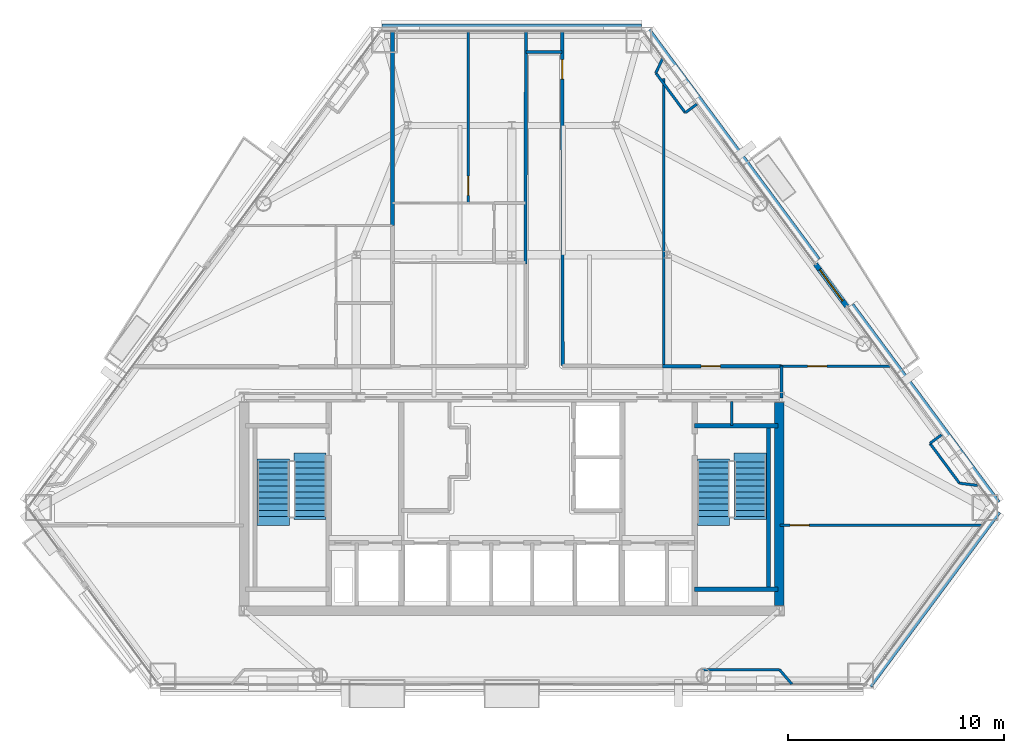
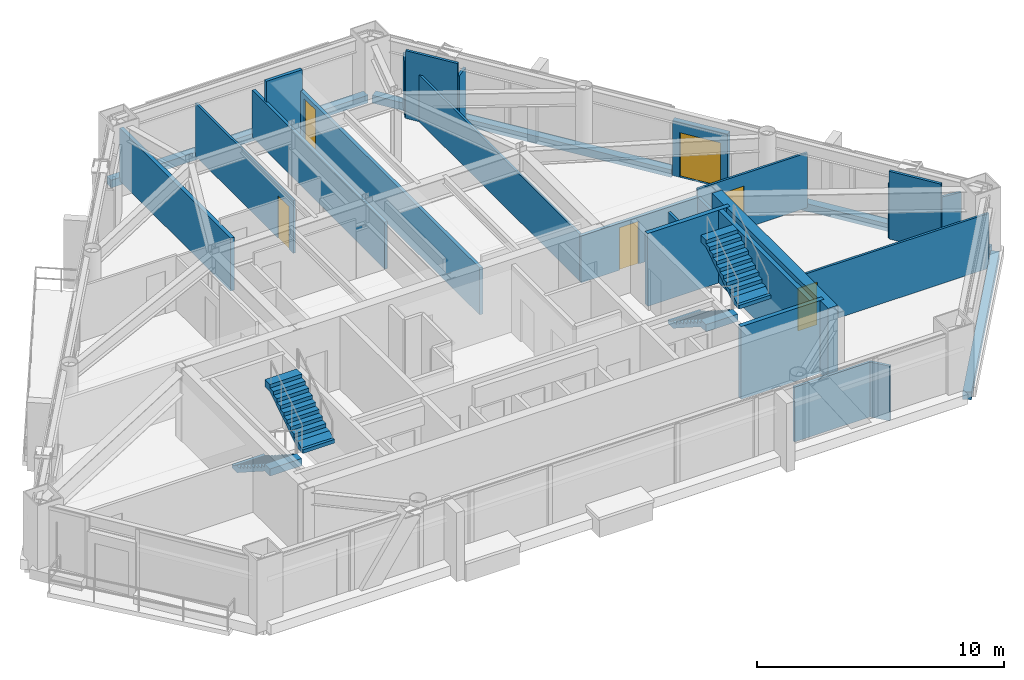
# One storey, part 10 of 13: 28 walls, 6 doors, 4 stair flights, 6 openings, 2 elements without a shape of their own.
"""IFC4 building model written with IfcOpenShell, lengths in metres."""

from ifc_helpers import new_model, si_unit, direction, frame, frame_2d, origin, place, context, subcontext, project, spatial, polyline, rectangle, outline, extrude, material, layer, layer_set, type_object, element, fill, aggregate, save


model = new_model("IFC4")

# Units and contexts
model_context = context("Model", 3, precision=1e-05, world=origin(), true_north=direction((0.0, 1.0)))
body_context = subcontext(model_context, "Body", "Model", "MODEL_VIEW")
ifc_project = project(units=[si_unit("LENGTHUNIT", "METRE"), si_unit("AREAUNIT", "SQUARE_METRE"), si_unit("VOLUMEUNIT", "CUBIC_METRE"), si_unit("PLANEANGLEUNIT", "RADIAN"), si_unit("MASSUNIT", "GRAM", prefix="KILO")], contexts=[model_context])

# Site, building, storey
site_placement = place(None, origin())
site = spatial("IfcSite", under=ifc_project, at=site_placement, CompositionType="ELEMENT")
building_placement = place(site_placement, origin())
building = spatial("IfcBuilding", under=site, at=building_placement, Name="Talgorran Terracotta Tower", CompositionType="ELEMENT")
storey_placement = place(building_placement, frame((0.0, 0.0, 99.60009765625)))
storey = spatial("IfcBuildingStorey", under=building, at=storey_placement, Name="L25", CompositionType="ELEMENT", Elevation=99.60009765625)

# Wall, opening, door
ifc_material_1 = material(Name="Concrete C40/50", Category="concrete")
ifc_layer_1 = layer(ifc_material_1, 0.239990234375, Name="WT_BALCONY_SPAND")
ifc_layer_set_1 = layer_set([ifc_layer_1], Name="Concrete C40/50")
wall_type_1 = type_object("IfcWallType", Name="WT_BALCONY_SPAND", PredefinedType="STANDARD", material=ifc_layer_set_1)
wall_1_placement = place(storey_placement, frame((15.52978515625, 0.010009765625, -0.01513671875), z_axis=(0.0, 0.0, 1.0), x_axis=(-0.594897308784, 0.803801711868, 0.0)))
wall_1 = element("IfcWall", 1, at=wall_1_placement, inside=storey, type_object=wall_type_1, Name="WL-L25-BALP-BAL-NE", PredefinedType="STANDARD", context=body_context, shape_type="SweptSolid", body=[
    extrude(rectangle(XDim=2.440185546875, YDim=0.239990234375, at=frame_2d((1.22021484375, 0.0))), origin(), (0.0, 0.0, 1.0), 2.728515625),
])
opening_1_placement = place(wall_1_placement, frame((0.320068359375, 0.0, 0.014892578125)))
opening_1 = element("IfcOpeningElement", 2, at=opening_1_placement, cuts=wall_1, Name="Opening D-BAL-L25-1", PredefinedType="OPENING", context=body_context, shape_type="SweptSolid", body=[
    extrude(rectangle(XDim=1.806048828125, YDim=2.203951171875, at=frame_2d((0.89990234375, 1.10205078125))), frame((0.0, 0.1298828125, 0.0), z_axis=(0.0, -1.0, 0.0), x_axis=(1.0, 0.0, 0.0)), (0.0, 0.0, 1.0), 0.260009765625),
])
ifc_material_2 = material(Name="Thermally Broken Aluminium", Category="aluminium")
door_type_1 = type_object("IfcDoorType", Name="DT_BALC_1800", OperationType="SLIDING_TO_LEFT", PredefinedType="DOOR", material=ifc_material_2)
door_1_placement = place(opening_1_placement, origin())
door_1 = element("IfcDoor", 3, at=door_1_placement, inside=storey, type_object=door_type_1, Name="DR-L25-BAL-BAL-NE", OperationType="SLIDING_TO_LEFT", OverallHeight=2.199951171875, OverallWidth=1.800048828125, PredefinedType="DOOR", context=body_context, shape_type="SweptSolid", body=[
    extrude(rectangle(XDim=1.800048828125, YDim=2.199951171875, at=frame_2d((0.89990234375, 1.10009765625))), frame((0.0, 0.02490234375, 0.0), z_axis=(0.0, -1.0, 0.0), x_axis=(1.0, 0.0, 0.0)), (0.0, 0.0, 1.0), 0.050048828125),
])
fill(opening_1, door_1)

# Walls
ifc_material_3 = material(Name="Concrete C50/60", Category="concrete")
ifc_layer_2 = layer(ifc_material_3, 0.199951171875, Name="WT_CORE_200")
ifc_layer_set_2 = layer_set([ifc_layer_2], Name="Concrete C50/60")
wall_type_2 = type_object("IfcWallType", Name="WT_CORE_200", PredefinedType="SOLIDWALL", material=ifc_layer_set_2)
for number, where, z_axis, x_axis, name in (
    (4, (8.47998046875, -5.52001953125, 0.0), (0.0, 0.0, 1.0), (1.0, 0.0, 0.0), "WL-L25-CW-ST2-N"),
    (5, (8.47998046875, -13.10009765625, 0.0), (0.0, 0.0, 1.0), (1.0, 0.0, 0.0), "WL-L25-CW-ST2-S"),
):
    element("IfcWall", number, at=place(storey_placement, frame(where, z_axis=z_axis, x_axis=x_axis)), inside=storey, type_object=wall_type_2, Name=name, PredefinedType="SOLIDWALL", context=body_context, shape_type="SweptSolid", body=[
        extrude(rectangle(XDim=3.8701171875, YDim=0.199951171875, at=frame_2d((1.93505859375, 0.0))), origin(), (0.0, 0.0, 1.0), 3.599853515625),
    ])
wall_2_placement = place(storey_placement, frame((11.89990234375, -13.10009765625, 0.0), z_axis=(0.0, 0.0, 1.0), x_axis=(0.0, 1.0, 0.0)))
element("IfcWall", 6, at=wall_2_placement, inside=storey, type_object=wall_type_2, Name="WL-L25-CW-ST2-E", PredefinedType="SOLIDWALL", context=body_context, shape_type="SweptSolid", body=[
    extrude(rectangle(XDim=7.580078125, YDim=0.199951171875, at=frame_2d((3.7900390625, 0.0))), origin(), (0.0, 0.0, 1.0), 3.599853515625),
])
ifc_material_4 = material(Name="Concrete C65/80", Category="concrete")
ifc_layer_3 = layer(ifc_material_4, 0.449951171875, Name="WT_CORE_EXT")
ifc_layer_set_3 = layer_set([ifc_layer_3], Name="Concrete C65/80")
wall_type_3 = type_object("IfcWallType", Name="WT_CORE_EXT", PredefinedType="SHEAR", material=ifc_layer_set_3)
wall_3_placement = place(storey_placement, frame((12.39990234375, -13.85009765625, 0.0), z_axis=(0.0, 0.0, 1.0), x_axis=(0.0, 1.0, 0.0)))
element("IfcWall", 7, at=wall_3_placement, inside=storey, type_object=wall_type_3, Name="WL-L25-CW-OUT-E", PredefinedType="SHEAR", context=body_context, shape_type="SweptSolid", body=[
    extrude(rectangle(XDim=9.400146484375, YDim=0.449951171875, at=frame_2d((4.7001953125, 0.0))), origin(), (0.0, 0.0, 1.0), 3.599853515625),
])

# Wall, opening, door
ifc_material_5 = material(Name="Fire-Rated Steel Stud Plasterboard", Category="steel")
ifc_layer_4 = layer(ifc_material_5, 0.14990234375, Name="WT_FIRE_150")
ifc_layer_set_4 = layer_set([ifc_layer_4], Name="Fire-Rated Steel Stud Plasterboard")
wall_type_4 = type_object("IfcWallType", Name="WT_FIRE_150", PredefinedType="PARTITIONING", material=ifc_layer_set_4)
wall_4_placement = place(storey_placement, frame((2.338623046875, 12.76220703125, 0.0), z_axis=(0.0, 0.0, 1.0), x_axis=(0.001385890916, -0.999999039653, 0.0)))
wall_4 = element("IfcWall", 8, at=wall_4_placement, inside=storey, type_object=wall_type_4, Name="WL-L25-W-L25-R09", PredefinedType="PARTITIONING", context=body_context, shape_type="SweptSolid", body=[
    extrude(rectangle(XDim=15.502197265625, YDim=0.14990234375, at=frame_2d((7.7509765625, 0.0))), origin(), (0.0, 0.0, 1.0), 2.324951171875),
])
opening_2_placement = place(wall_4_placement, frame((1.321533203125, 0.0, 0.0)))
opening_2 = element("IfcOpeningElement", 9, at=opening_2_placement, cuts=wall_4, Name="Opening DR-L25-R10", PredefinedType="OPENING", context=body_context, shape_type="SweptSolid", body=[
    extrude(rectangle(XDim=0.90590234375, YDim=2.10409765625, at=frame_2d((0.449951171875, 1.052001953125))), frame((0.0, 0.0849609375, 0.0), z_axis=(0.0, -1.0, 0.0), x_axis=(1.0, 0.0, 0.0)), (0.0, 0.0, 1.0), 0.169921875),
])
ifc_material_6 = material(Name="Fire-Rated Timber Core", Category="wood")
door_type_2 = type_object("IfcDoorType", Name="DT_FIRE_900", OperationType="NOTDEFINED", PredefinedType="DOOR", material=ifc_material_6)
door_2_placement = place(opening_2_placement, origin())
door_2 = element("IfcDoor", 10, at=door_2_placement, inside=storey, type_object=door_type_2, Name="DR-L25-R10", OperationType="SINGLE_SWING_RIGHT", OverallHeight=2.10009765625, OverallWidth=0.89990234375, PredefinedType="DOOR", context=body_context, shape_type="SweptSolid", body=[
    extrude(rectangle(XDim=0.89990234375, YDim=2.10009765625, at=frame_2d((0.449951171875, 1.050048828125))), frame((0.0, 0.02490234375, 0.0), z_axis=(0.0, -1.0, 0.0), x_axis=(1.0, 0.0, 0.0)), (0.0, 0.0, 1.0), 0.050048828125),
])
fill(opening_2, door_2)

# Wall
wall_5_placement = place(storey_placement, frame((0.632080078125, 1.97998046875, 0.0), z_axis=(0.0, 0.0, 1.0), x_axis=(0.002830348232, 0.999995994556, 0.0)))
element("IfcWall", 11, at=wall_5_placement, inside=storey, type_object=wall_type_4, Name="WL-L25-W-L25-R06", PredefinedType="PARTITIONING", context=body_context, shape_type="SweptSolid", body=[
    extrude(rectangle(XDim=10.7822265625, YDim=0.14990234375, at=frame_2d((5.39111328125, 0.0))), origin(), (0.0, 0.0, 1.0), 2.324951171875),
])

# Wall, opening, door
wall_6_placement = place(storey_placement, frame((6.97998046875, -2.760009765625, 0.0), z_axis=(0.0, 0.0, 1.0), x_axis=(1.0, 0.0, 0.0)))
wall_6 = element("IfcWall", 12, at=wall_6_placement, inside=storey, type_object=wall_type_4, Name="WL-L25-W-L25-R11", PredefinedType="PARTITIONING", context=body_context, shape_type="SweptSolid", body=[
    extrude(rectangle(XDim=5.52001953125, YDim=0.14990234375, at=frame_2d((2.760009765625, 0.0))), origin(), (0.0, 0.0, 1.0), 2.324951171875),
])
opening_3_placement = place(wall_6_placement, frame((1.79248046875, 0.0, 0.0)))
opening_3 = element("IfcOpeningElement", 13, at=opening_3_placement, cuts=wall_6, Name="Opening DR-L25-R11", PredefinedType="OPENING", context=body_context, shape_type="SweptSolid", body=[
    extrude(rectangle(XDim=0.90590234375, YDim=2.10409765625, at=frame_2d((0.449951171875, 1.052001953125))), frame((0.0, 0.0849609375, 0.0), z_axis=(0.0, -1.0, 0.0), x_axis=(1.0, 0.0, 0.0)), (0.0, 0.0, 1.0), 0.169921875),
])
door_3_placement = place(opening_3_placement, origin())
door_3 = element("IfcDoor", 14, at=door_3_placement, inside=storey, type_object=door_type_2, Name="DR-L25-R11", OperationType="SINGLE_SWING_LEFT", OverallHeight=2.10009765625, OverallWidth=0.89990234375, PredefinedType="DOOR", context=body_context, shape_type="SweptSolid", body=[
    extrude(rectangle(XDim=0.89990234375, YDim=2.10009765625, at=frame_2d((0.449951171875, 1.050048828125))), frame((0.0, 0.02490234375, 0.0), z_axis=(0.0, -1.0, 0.0), x_axis=(1.0, 0.0, 0.0)), (0.0, 0.0, 1.0), 0.050048828125),
])
fill(opening_3, door_3)

# Walls
wall_7_placement = place(storey_placement, frame((12.5, -4.239990234375, 0.0), z_axis=(0.0, 0.0, 1.0), x_axis=(0.0, 1.0, 0.0)))
element("IfcWall", 15, at=wall_7_placement, inside=storey, type_object=wall_type_4, Name="WL-L25-W-L25-R13", PredefinedType="PARTITIONING", context=body_context, shape_type="SweptSolid", body=[
    extrude(rectangle(XDim=1.47998046875, YDim=0.14990234375, at=frame_2d((0.739990234375, 0.0))), origin(), (0.0, 0.0, 1.0), 2.324951171875),
])
wall_8_placement = place(storey_placement, frame((0.659912109375, 11.800048828125, 0.0), z_axis=(0.0, 0.0, 1.0), x_axis=(1.0, 0.0, 0.0)))
element("IfcWall", 16, at=wall_8_placement, inside=storey, type_object=wall_type_4, Name="WL-L25-W-L25-R07", PredefinedType="PARTITIONING", context=body_context, shape_type="SweptSolid", body=[
    extrude(rectangle(XDim=1.68017578125, YDim=0.14990234375, at=frame_2d((0.840087890625, 0.0))), origin(), (0.0, 0.0, 1.0), 3.349853515625),
])
ifc_layer_5 = layer(ifc_material_1, 0.219970703125, Name="WT_PARAPET_RC")
ifc_layer_set_5 = layer_set([ifc_layer_5], Name="Concrete C40/50")
wall_type_5 = type_object("IfcWallType", Name="WT_PARAPET_RC", PredefinedType="PARAPET", material=ifc_layer_set_5)
wall_9_placement = place(storey_placement, frame((16.544921875, -17.538818359375, -0.2001953125), z_axis=(0.0, 0.0, 1.0), x_axis=(0.594898670943, 0.803800703726, 0.0)))
element("IfcWall", 17, at=wall_9_placement, inside=storey, type_object=wall_type_5, Name="L25 Striped Portal Precast Cornice F2", PredefinedType="PARAPET", context=body_context, shape_type="SweptSolid", body=[
    extrude(rectangle(XDim=10.031982421875, YDim=0.360107421875, at=frame_2d((5.01611328125, 0.0))), origin(), (0.0, 0.0, 1.0), 0.380126953125),
])
wall_10_placement = place(storey_placement, frame((22.489013671875, -9.123779296875, -0.2001953125), z_axis=(0.0, 0.0, 1.0), x_axis=(-0.59490615029, 0.803795168154, 0.0)))
element("IfcWall", 18, at=wall_10_placement, inside=storey, type_object=wall_type_5, Name="L25 Striped Portal Precast Cornice F40", PredefinedType="PARAPET", context=body_context, shape_type="SweptSolid", body=[
    extrude(rectangle(XDim=11.391845703125, YDim=0.360107421875, at=frame_2d((5.69580078125, 0.0))), origin(), (0.0, 0.0, 1.0), 0.380126953125),
])
wall_11_placement = place(storey_placement, frame((14.1533203125, 2.138916015625, -0.2001953125), z_axis=(0.0, 0.0, 1.0), x_axis=(-0.594915583051, 0.803788186678, 0.0)))
element("IfcWall", 19, at=wall_11_placement, inside=storey, type_object=wall_type_5, Name="L25 Striped Portal Precast Cornice F41", PredefinedType="PARAPET", context=body_context, shape_type="SweptSolid", body=[
    extrude(rectangle(XDim=13.215087890625, YDim=0.360107421875, at=frame_2d((6.607421875, 0.0))), origin(), (0.0, 0.0, 1.0), 0.380126953125),
])
wall_12_placement = place(storey_placement, frame((6.01171875, 12.922119140625, -0.2001953125), z_axis=(0.0, 0.0, 1.0), x_axis=(-1.0, 0.0, 0.0)))
element("IfcWall", 20, at=wall_12_placement, inside=storey, type_object=wall_type_5, Name="L25 Striped Portal Precast Cornice F4", PredefinedType="PARAPET", context=body_context, shape_type="SweptSolid", body=[
    extrude(rectangle(XDim=12.0234375, YDim=0.360107421875, at=frame_2d((6.01171875, 0.0))), origin(), (0.0, 0.0, 1.0), 0.380126953125),
])
ifc_material_7 = material(Name="Acoustic Stud and Plasterboard")
ifc_layer_6 = layer(ifc_material_7, 0.179931640625, Name="WT_PARTY_200")
ifc_layer_set_6 = layer_set([ifc_layer_6], Name="Acoustic Stud and Plasterboard")
wall_type_6 = type_object("IfcWallType", Name="WT_PARTY_200", PredefinedType="PARTITIONING", material=ifc_layer_set_6)
wall_13_placement = place(storey_placement, frame((-5.52001953125, 3.760009765625, 0.0), z_axis=(0.0, 0.0, 1.0), x_axis=(0.0, 1.0, 0.0)))
element("IfcWall", 21, at=wall_13_placement, inside=storey, type_object=wall_type_6, Name="WL-L25-W-L25-R23", PredefinedType="PARTITIONING", context=body_context, shape_type="SweptSolid", body=[
    extrude(rectangle(XDim=9.002197265625, YDim=0.179931640625, at=frame_2d((4.5009765625, 0.0))), origin(), (0.0, 0.0, 1.0), 2.616943359375),
])
ifc_material_8 = material(Name="Lightweight Steel Stud Partition", Category="steel")
ifc_layer_7 = layer(ifc_material_8, 0.10498046875, Name="WT_PART_110")
ifc_layer_set_7 = layer_set([ifc_layer_7], Name="Lightweight Steel Stud Partition")
wall_type_7 = type_object("IfcWallType", Name="WT_PART_110", PredefinedType="PARTITIONING", material=ifc_layer_set_7)
wall_14_placement = place(storey_placement, frame((7.0400390625, -2.760009765625, 0.0), z_axis=(0.0, 0.0, 1.0), x_axis=(0.0, 1.0, 0.0)))
element("IfcWall", 22, at=wall_14_placement, inside=storey, type_object=wall_type_7, Name="WL-L25-W-L25-R31", PredefinedType="PARTITIONING", context=body_context, shape_type="SweptSolid", body=[
    extrude(rectangle(XDim=13.340087890625, YDim=0.10498046875, at=frame_2d((6.669921875, 0.0))), origin(), (0.0, 0.0, 1.0), 2.324951171875),
])

# Wall, opening, door
wall_15_placement = place(storey_placement, frame((12.43994140625, -10.139892578125, 0.0), z_axis=(0.0, 0.0, 1.0), x_axis=(1.0, 0.0, 0.0)))
wall_15 = element("IfcWall", 23, at=wall_15_placement, inside=storey, type_object=wall_type_7, Name="WL-L25-W-L25-R33", PredefinedType="PARTITIONING", context=body_context, shape_type="SweptSolid", body=[
    extrude(rectangle(XDim=9.3818359375, YDim=0.10498046875, at=frame_2d((4.69091796875, 0.0))), origin(), (0.0, 0.0, 1.0), 2.71337890625),
])
opening_4_placement = place(wall_15_placement, frame((0.459716796875, 0.0, 0.0)))
opening_4 = element("IfcOpeningElement", 24, at=opening_4_placement, cuts=wall_15, Name="Opening DR-L25-R13", PredefinedType="OPENING", context=body_context, shape_type="SweptSolid", body=[
    extrude(rectangle(XDim=0.8858828125, YDim=2.10409765625, at=frame_2d((0.43994140625, 1.052001953125))), frame((0.0, 0.0625, 0.0), z_axis=(0.0, -1.0, 0.0), x_axis=(1.0, 0.0, 0.0)), (0.0, 0.0, 1.0), 0.125),
])
ifc_material_9 = material(Name="Solid-Core Painted Timber", Category="wood")
door_type_3 = type_object("IfcDoorType", Name="DT_INT_880", OperationType="NOTDEFINED", PredefinedType="DOOR", material=ifc_material_9)
door_4_placement = place(opening_4_placement, origin())
door_4 = element("IfcDoor", 25, at=door_4_placement, inside=storey, type_object=door_type_3, Name="DR-L25-R13", OperationType="SINGLE_SWING_LEFT", OverallHeight=2.10009765625, OverallWidth=0.8798828125, PredefinedType="DOOR", context=body_context, shape_type="SweptSolid", body=[
    extrude(rectangle(XDim=0.8798828125, YDim=2.10009765625, at=frame_2d((0.43994140625, 1.050048828125))), frame((0.0, 0.02490234375, 0.0), z_axis=(0.0, -1.0, 0.0), x_axis=(1.0, 0.0, 0.0)), (0.0, 0.0, 1.0), 0.050048828125),
])
fill(opening_4, door_4)

wall_16_placement = place(storey_placement, frame((-2.02001953125, 4.800048828125, 0.0), z_axis=(0.0, 0.0, 1.0), x_axis=(0.0, 1.0, 0.0)))
wall_16 = element("IfcWall", 26, at=wall_16_placement, inside=storey, type_object=wall_type_7, Name="WL-L25-W-L25-R30", PredefinedType="PARTITIONING", context=body_context, shape_type="SweptSolid", body=[
    extrude(rectangle(XDim=7.962158203125, YDim=0.10498046875, at=frame_2d((3.98095703125, 0.0))), origin(), (0.0, 0.0, 1.0), 2.616943359375),
])
opening_5_placement = place(wall_16_placement, frame((0.359375, 0.0, 0.0)))
opening_5 = element("IfcOpeningElement", 27, at=opening_5_placement, cuts=wall_16, Name="Opening DR-L25-R09", PredefinedType="OPENING", context=body_context, shape_type="SweptSolid", body=[
    extrude(rectangle(XDim=0.8858828125, YDim=2.10409765625, at=frame_2d((0.43994140625, 1.052001953125))), frame((0.0, 0.0625, 0.0), z_axis=(0.0, -1.0, 0.0), x_axis=(1.0, 0.0, 0.0)), (0.0, 0.0, 1.0), 0.125),
])
door_5_placement = place(opening_5_placement, origin())
door_5 = element("IfcDoor", 28, at=door_5_placement, inside=storey, type_object=door_type_3, Name="DR-L25-R09", OperationType="SINGLE_SWING_LEFT", OverallHeight=2.10009765625, OverallWidth=0.8798828125, PredefinedType="DOOR", context=body_context, shape_type="SweptSolid", body=[
    extrude(rectangle(XDim=0.8798828125, YDim=2.10009765625, at=frame_2d((0.43994140625, 1.050048828125))), frame((0.0, 0.02490234375, 0.0), z_axis=(0.0, -1.0, 0.0), x_axis=(1.0, 0.0, 0.0)), (0.0, 0.0, 1.0), 0.050048828125),
])
fill(opening_5, door_5)

wall_17_placement = place(storey_placement, frame((12.43994140625, -2.760009765625, 0.0), z_axis=(0.0, 0.0, 1.0), x_axis=(1.0, 0.0, 0.0)))
wall_17 = element("IfcWall", 29, at=wall_17_placement, inside=storey, type_object=wall_type_7, Name="WL-L25-W-L25-R32", PredefinedType="PARTITIONING", context=body_context, shape_type="SweptSolid", body=[
    extrude(rectangle(XDim=5.139892578125, YDim=0.10498046875, at=frame_2d((2.56982421875, 0.0))), origin(), (0.0, 0.0, 1.0), 2.71337890625),
])
opening_6_placement = place(wall_17_placement, frame((1.280029296875, 0.0, 0.0)))
opening_6 = element("IfcOpeningElement", 30, at=opening_6_placement, cuts=wall_17, Name="Opening DR-L25-R14", PredefinedType="OPENING", context=body_context, shape_type="SweptSolid", body=[
    extrude(rectangle(XDim=0.8858828125, YDim=2.10409765625, at=frame_2d((0.43994140625, 1.052001953125))), frame((0.0, 0.0625, 0.0), z_axis=(0.0, -1.0, 0.0), x_axis=(1.0, 0.0, 0.0)), (0.0, 0.0, 1.0), 0.125),
])
door_6_placement = place(opening_6_placement, origin())
door_6 = element("IfcDoor", 31, at=door_6_placement, inside=storey, type_object=door_type_3, Name="DR-L25-R14", OperationType="SINGLE_SWING_RIGHT", OverallHeight=2.10009765625, OverallWidth=0.8798828125, PredefinedType="DOOR", context=body_context, shape_type="SweptSolid", body=[
    extrude(rectangle(XDim=0.8798828125, YDim=2.10009765625, at=frame_2d((0.43994140625, 1.050048828125))), frame((0.0, 0.02490234375, 0.0), z_axis=(0.0, -1.0, 0.0), x_axis=(1.0, 0.0, 0.0)), (0.0, 0.0, 1.0), 0.050048828125),
])
fill(opening_6, door_6)

# Walls
ifc_material_10 = material(Name="Insulated Steel Stud Plasterboard", Category="steel")
ifc_layer_8 = layer(ifc_material_10, 0.1201171875, Name="WT_PART_120")
ifc_layer_set_8 = layer_set([ifc_layer_8], Name="Insulated Steel Stud Plasterboard")
wall_type_8 = type_object("IfcWallType", Name="WT_PART_120", PredefinedType="PARTITIONING", material=ifc_layer_set_8)
wall_18_placement = place(storey_placement, frame((10.199951171875, -5.52001953125, 0.0), z_axis=(0.0, 0.0, 1.0), x_axis=(0.0, 1.0, 0.0)))
element("IfcWall", 32, at=wall_18_placement, inside=storey, type_object=wall_type_8, Name="WL-L25-CW-CSE-DIV", PredefinedType="PARTITIONING", context=body_context, shape_type="SweptSolid", body=[
    extrude(rectangle(XDim=1.1201171875, YDim=0.1201171875, at=frame_2d((0.56005859375, 0.0))), origin(), (0.0, 0.0, 1.0), 3.349853515625),
])
wall_19_placement = place(storey_placement, frame((8.842041015625, -16.827880859375, 0.0), z_axis=(0.0, 0.0, 1.0), x_axis=(1.0, 0.0, 0.0)))
element("IfcWall", 33, at=wall_19_placement, inside=storey, type_object=wall_type_8, Name="WL-L25-BW-L25-06", PredefinedType="PARTITIONING", context=body_context, shape_type="SweptSolid", body=[
    extrude(rectangle(XDim=3.56884765625, YDim=0.1201171875, at=frame_2d((1.784423828125, 0.0))), origin(), (0.0, 0.0, 1.0), 2.71337890625),
])
wall_20_placement = place(storey_placement, frame((8.0419921875, 8.984130859375, 0.0), z_axis=(0.0, 0.0, 1.0), x_axis=(-0.594914508596, 0.803788981924, 0.0)))
element("IfcWall", 34, at=wall_20_placement, inside=storey, type_object=wall_type_8, Name="WL-L25-BW-L25-18", PredefinedType="PARTITIONING", context=body_context, shape_type="SweptSolid", body=[
    extrude(rectangle(XDim=2.29443359375, YDim=0.1201171875, at=frame_2d((1.147216796875, 0.0))), origin(), (0.0, 0.0, 1.0), 3.349853515625),
])
wall_21_placement = place(storey_placement, frame((20.747802734375, -8.183349609375, 0.0), z_axis=(0.0, 0.0, 1.0), x_axis=(-0.594863630048, 0.803826636561, 0.0)))
element("IfcWall", 35, at=wall_21_placement, inside=storey, type_object=wall_type_8, Name="WL-L25-BW-L25-13", PredefinedType="PARTITIONING", context=body_context, shape_type="SweptSolid", body=[
    extrude(rectangle(XDim=2.294677734375, YDim=0.1201171875, at=frame_2d((1.1474609375, 0.0))), origin(), (0.0, 0.0, 1.0), 3.349853515625),
])
wall_22_placement = place(storey_placement, frame((12.410888671875, -16.827880859375, 0.0), z_axis=(0.0, 0.0, 1.0), x_axis=(0.649031566587, -0.760761477451, 0.0)))
element("IfcWall", 36, at=wall_22_placement, inside=storey, type_object=wall_type_8, Name="WL-L25-BW-L25-04", PredefinedType="PARTITIONING", context=body_context, shape_type="SweptSolid", body=[
    extrude(rectangle(XDim=0.880615234375, YDim=0.1201171875, at=frame_2d((0.4404296875, 0.0))), origin(), (0.0, 0.0, 1.0), 2.71337890625),
])
wall_23_placement = place(storey_placement, frame((21.590087890625, -8.28857421875, 0.0), z_axis=(0.0, 0.0, 1.0), x_axis=(-0.992286724014, 0.123963935667, 0.0)))
element("IfcWall", 37, at=wall_23_placement, inside=storey, type_object=wall_type_8, Name="WL-L25-BW-L25-12", PredefinedType="PARTITIONING", context=body_context, shape_type="SweptSolid", body=[
    extrude(rectangle(XDim=0.848876953125, YDim=0.1201171875, at=frame_2d((0.42431640625, 0.0))), origin(), (0.0, 0.0, 1.0), 2.71337890625),
])
wall_24_placement = place(storey_placement, frame((6.677001953125, 10.828369140625, 0.0), z_axis=(0.0, 0.0, 1.0), x_axis=(0.429247003256, 0.903187140185, 0.0)))
element("IfcWall", 38, at=wall_24_placement, inside=storey, type_object=wall_type_8, Name="WL-L25-BW-L25-19", PredefinedType="PARTITIONING", context=body_context, shape_type="SweptSolid", body=[
    extrude(rectangle(XDim=0.75927734375, YDim=0.1201171875, at=frame_2d((0.379638671875, 0.0))), origin(), (0.0, 0.0, 1.0), 2.71337890625),
])
wall_25_placement = place(storey_placement, frame((19.3828125, -6.339111328125, 0.0), z_axis=(0.0, 0.0, 1.0), x_axis=(0.803744328022, 0.594974835748, 0.0)))
element("IfcWall", 39, at=wall_25_placement, inside=storey, type_object=wall_type_8, Name="WL-L25-BW-L25-11", PredefinedType="PARTITIONING", context=body_context, shape_type="SweptSolid", body=[
    extrude(rectangle(XDim=0.670166015625, YDim=0.1201171875, at=frame_2d((0.3349609375, 0.0))), origin(), (0.0, 0.0, 1.0), 2.71337890625),
])
wall_26_placement = place(storey_placement, frame((8.580322265625, 9.3828125, 0.0), z_axis=(0.0, 0.0, 1.0), x_axis=(-0.803615295139, -0.595149105198, 0.0)))
element("IfcWall", 40, at=wall_26_placement, inside=storey, type_object=wall_type_8, Name="WL-L25-BW-L25-17", PredefinedType="PARTITIONING", context=body_context, shape_type="SweptSolid", body=[
    extrude(rectangle(XDim=0.669921875, YDim=0.1201171875, at=frame_2d((0.3349609375, 0.0))), origin(), (0.0, 0.0, 1.0), 2.71337890625),
])

# Stair, stair flights
stair_type = type_object("IfcStairType", Name="ST_FIRE_SCISSOR", PredefinedType="HALF_TURN_STAIR", material=ifc_material_1)
stair_1_placement = place(storey_placement, origin())
stair_1 = element("IfcStair", 41, at=stair_1_placement, inside=storey, type_object=stair_type, Name="L25 West Protected Fire Stair ST-01", PredefinedType="HALF_TURN_STAIR")
ifc_layer_9 = layer(ifc_material_1, 0.179931640625, Name="STF_RC_1500")
ifc_layer_set_9 = layer_set([ifc_layer_9], Name="Concrete C40/50")
stair_flight_type = type_object("IfcStairFlightType", Name="STF_RC_1500", PredefinedType="STRAIGHT", material=ifc_layer_set_9)
stair_flight_1_placement = place(storey_placement, frame((-11.050048828125, -7.199951171875, 0.0), z_axis=(0.0, 0.0, 1.0), x_axis=(0.0, -1.0, 0.0)))
stair_flight_1 = element("IfcStairFlight", 42, at=stair_flight_1_placement, type_object=stair_flight_type, Name="ST-01 flight 1", NumberOfRisers=10, NumberOfTreads=9, PredefinedType="STRAIGHT", RiserHeight=0.18, TreadLength=0.28, context=body_context, shape_type="SweptSolid", body=[
    extrude(outline(polyline([(-0.139892578125, 0.0), (-0.139892578125, 0.179931640625), (0.0, 0.179931640625), (0.280029296875, 0.360107421875), (0.56005859375, 0.360107421875), (0.56005859375, 0.5400390625), (0.840087890625, 0.5400390625), (0.840087890625, 0.719970703125), (1.1201171875, 0.719970703125), (1.1201171875, 0.89990234375), (1.39990234375, 0.89990234375), (1.39990234375, 1.080078125), (1.679931640625, 1.080078125), (1.679931640625, 1.260009765625), (1.9599609375, 1.260009765625), (1.9599609375, 1.43994140625), (2.239990234375, 1.43994140625), (2.239990234375, 1.6201171875), (2.52001953125, 1.6201171875), (2.52001953125, 1.800048828125), (2.93994140625, 1.800048828125), (2.93994140625, 1.44189453125), (2.52001953125, 1.44189453125), (0.277099609375, 0.0), (-0.139892578125, 0.0)])), frame((0.0, 0.75, 0.0), z_axis=(0.0, -1.0, 0.0), x_axis=(1.0, 0.0, 0.0)), (0.0, 0.0, 1.0), 1.5),
])
stair_flight_2_placement = place(storey_placement, frame((-9.35009765625, -9.719970703125, 1.7998046875), z_axis=(0.0, 0.0, 1.0), x_axis=(0.0, 1.0, 0.0)))
stair_flight_2 = element("IfcStairFlight", 43, at=stair_flight_2_placement, type_object=stair_flight_type, Name="ST-01 flight 2", NumberOfRisers=10, NumberOfTreads=9, PredefinedType="STRAIGHT", RiserHeight=0.18, TreadLength=0.28, context=body_context, shape_type="SweptSolid", body=[
    extrude(outline(polyline([(-0.139892578125, 0.0), (-0.139892578125, 0.179931640625), (0.0, 0.179931640625), (0.280029296875, 0.360107421875), (0.56005859375, 0.360107421875), (0.56005859375, 0.5400390625), (0.840087890625, 0.5400390625), (0.840087890625, 0.719970703125), (1.1201171875, 0.719970703125), (1.1201171875, 0.89990234375), (1.39990234375, 0.89990234375), (1.39990234375, 1.080078125), (1.679931640625, 1.080078125), (1.679931640625, 1.260009765625), (1.9599609375, 1.260009765625), (1.9599609375, 1.43994140625), (2.239990234375, 1.43994140625), (2.239990234375, 1.6201171875), (2.52001953125, 1.6201171875), (2.52001953125, 1.800048828125), (2.93994140625, 1.800048828125), (2.93994140625, 1.44189453125), (2.52001953125, 1.44189453125), (0.277099609375, 0.0), (-0.139892578125, 0.0)])), frame((0.0, 0.75, 0.0), z_axis=(0.0, -1.0, 0.0), x_axis=(1.0, 0.0, 0.0)), (0.0, 0.0, 1.0), 1.5),
])
aggregate(stair_1, [stair_flight_1, stair_flight_2])

stair_2_placement = place(storey_placement, origin())
stair_2 = element("IfcStair", 44, at=stair_2_placement, inside=storey, type_object=stair_type, Name="L25 East Protected Fire Stair ST-02", PredefinedType="HALF_TURN_STAIR")
stair_flight_3_placement = place(storey_placement, frame((9.35009765625, -7.199951171875, 0.0), z_axis=(0.0, 0.0, 1.0), x_axis=(0.0, -1.0, 0.0)))
stair_flight_3 = element("IfcStairFlight", 45, at=stair_flight_3_placement, type_object=stair_flight_type, Name="ST-02 flight 1", NumberOfRisers=10, NumberOfTreads=9, PredefinedType="STRAIGHT", RiserHeight=0.18, TreadLength=0.28, context=body_context, shape_type="SweptSolid", body=[
    extrude(outline(polyline([(-0.139892578125, 0.0), (-0.139892578125, 0.179931640625), (0.0, 0.179931640625), (0.280029296875, 0.360107421875), (0.56005859375, 0.360107421875), (0.56005859375, 0.5400390625), (0.840087890625, 0.5400390625), (0.840087890625, 0.719970703125), (1.1201171875, 0.719970703125), (1.1201171875, 0.89990234375), (1.39990234375, 0.89990234375), (1.39990234375, 1.080078125), (1.679931640625, 1.080078125), (1.679931640625, 1.260009765625), (1.9599609375, 1.260009765625), (1.9599609375, 1.43994140625), (2.239990234375, 1.43994140625), (2.239990234375, 1.6201171875), (2.52001953125, 1.6201171875), (2.52001953125, 1.800048828125), (2.93994140625, 1.800048828125), (2.93994140625, 1.44189453125), (2.52001953125, 1.44189453125), (0.277099609375, 0.0), (-0.139892578125, 0.0)])), frame((0.0, 0.75, 0.0), z_axis=(0.0, -1.0, 0.0), x_axis=(1.0, 0.0, 0.0)), (0.0, 0.0, 1.0), 1.5),
])
stair_flight_4_placement = place(storey_placement, frame((11.050048828125, -9.719970703125, 1.7998046875), z_axis=(0.0, 0.0, 1.0), x_axis=(0.0, 1.0, 0.0)))
stair_flight_4 = element("IfcStairFlight", 46, at=stair_flight_4_placement, type_object=stair_flight_type, Name="ST-02 flight 2", NumberOfRisers=10, NumberOfTreads=9, PredefinedType="STRAIGHT", RiserHeight=0.18, TreadLength=0.28, context=body_context, shape_type="SweptSolid", body=[
    extrude(outline(polyline([(-0.139892578125, 0.0), (-0.139892578125, 0.179931640625), (0.0, 0.179931640625), (0.280029296875, 0.360107421875), (0.56005859375, 0.360107421875), (0.56005859375, 0.5400390625), (0.840087890625, 0.5400390625), (0.840087890625, 0.719970703125), (1.1201171875, 0.719970703125), (1.1201171875, 0.89990234375), (1.39990234375, 0.89990234375), (1.39990234375, 1.080078125), (1.679931640625, 1.080078125), (1.679931640625, 1.260009765625), (1.9599609375, 1.260009765625), (1.9599609375, 1.43994140625), (2.239990234375, 1.43994140625), (2.239990234375, 1.6201171875), (2.52001953125, 1.6201171875), (2.52001953125, 1.800048828125), (2.93994140625, 1.800048828125), (2.93994140625, 1.44189453125), (2.52001953125, 1.44189453125), (0.277099609375, 0.0), (-0.139892578125, 0.0)])), frame((0.0, 0.75, 0.0), z_axis=(0.0, -1.0, 0.0), x_axis=(1.0, 0.0, 0.0)), (0.0, 0.0, 1.0), 1.5),
])
aggregate(stair_2, [stair_flight_3, stair_flight_4])

save(model, "model.ifc")
